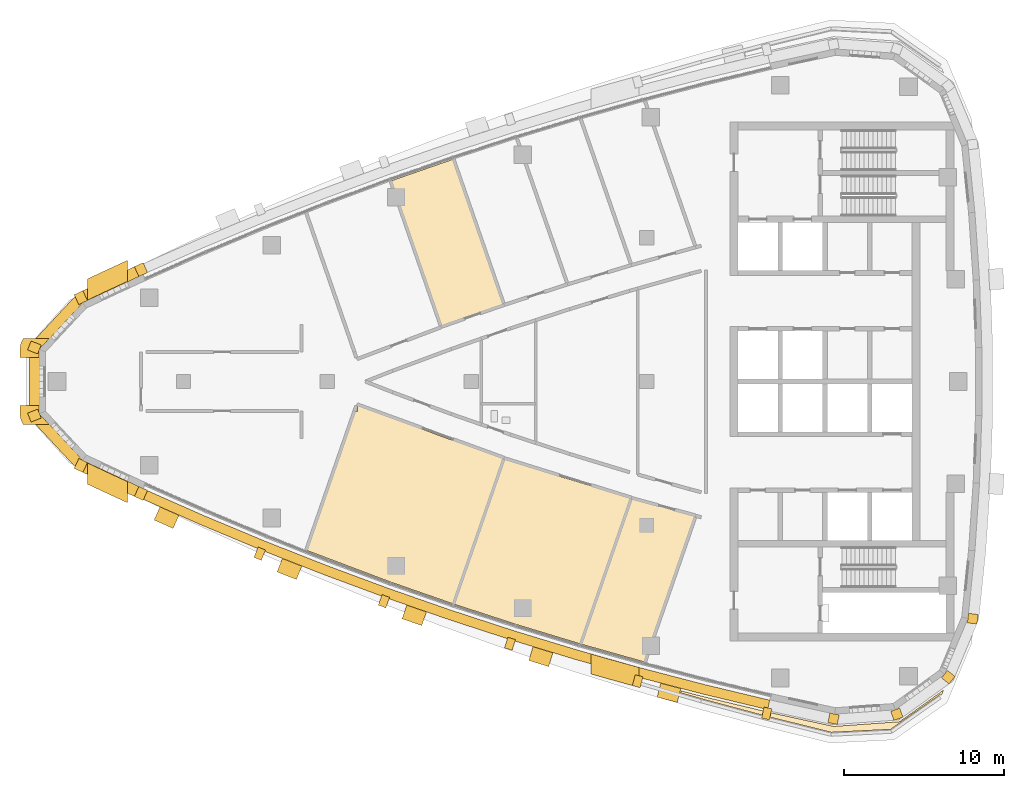
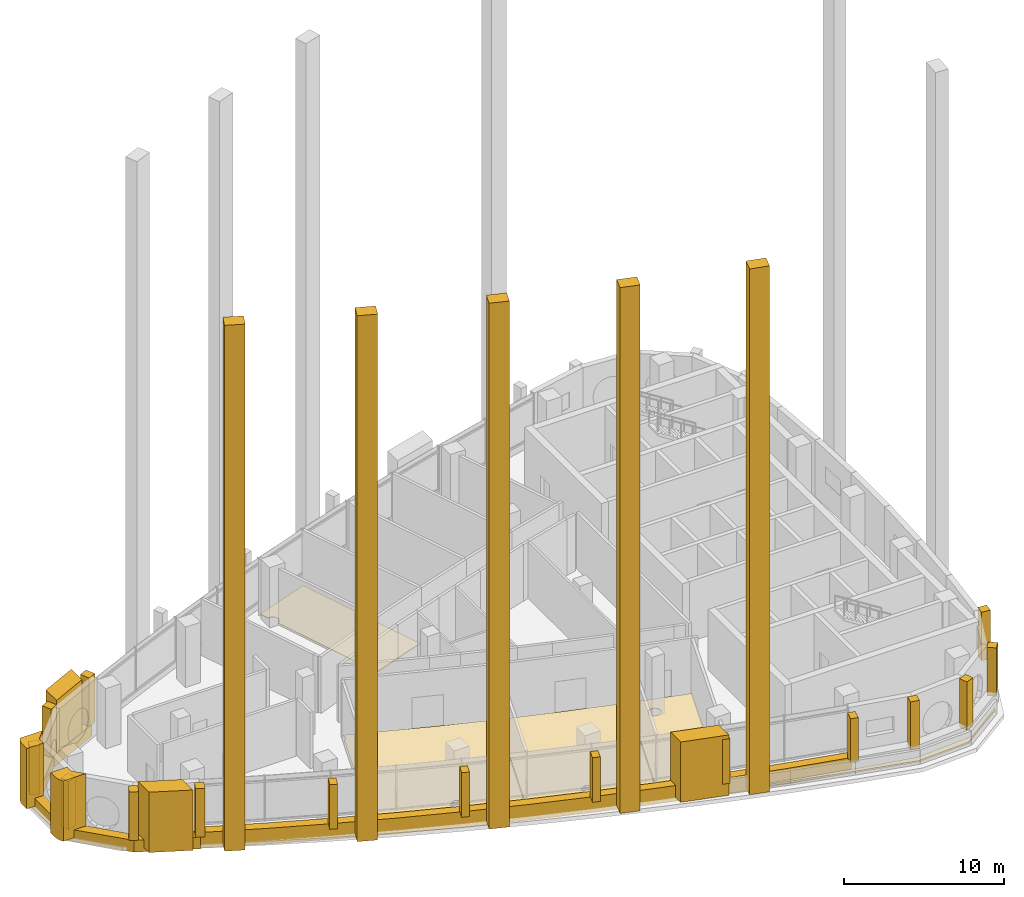
# One storey, part 11 of 15: 32 coverings.
"""IFC4 building model written with IfcOpenShell, lengths in metres."""

from ifc_helpers import new_model, si_unit, direction, frame, frame_2d, origin, place, context, subcontext, project, spatial, polyline, rectangle, outline, extrude, material, layer, layer_set, type_object, element, save


model = new_model("IFC4")

# Units and contexts
model_context = context("Model", 3, precision=1e-05, world=origin(), true_north=direction((0.0, 1.0)))
body_context = subcontext(model_context, "Body", "Model", "MODEL_VIEW")
ifc_project = project(units=[si_unit("LENGTHUNIT", "METRE"), si_unit("AREAUNIT", "SQUARE_METRE"), si_unit("VOLUMEUNIT", "CUBIC_METRE"), si_unit("PLANEANGLEUNIT", "RADIAN"), si_unit("MASSUNIT", "GRAM", prefix="KILO")], contexts=[model_context])

# Site, building, storey
site_placement = place(None, origin())
site = spatial("IfcSite", under=ifc_project, at=site_placement, CompositionType="ELEMENT")
building_placement = place(site_placement, origin())
building = spatial("IfcBuilding", under=site, at=building_placement, Name="Ostrand Prow Hotel Tower", CompositionType="ELEMENT")
storey_placement = place(building_placement, frame((0.0, 0.0, 263.300048828125)))
storey = spatial("IfcBuildingStorey", under=building, at=storey_placement, Name="L66", CompositionType="ELEMENT", Elevation=263.300048828125)

# Coverings
ifc_material_1 = material(Name="Bronze anodised aluminium cladding", Category="aluminium")
ifc_layer_1 = layer(ifc_material_1, 0.60009765625)
ifc_layer_set_1 = layer_set([ifc_layer_1], Name="Bronze anodised aluminium cladding")
covering_type_1 = type_object("IfcCoveringType", Name="Bronze prow band 899x600", PredefinedType="CLADDING", material=ifc_layer_set_1)
covering_1_placement = place(storey_placement, frame((0.0, 0.0, -0.300048828125)))
element("IfcCovering", 1, at=covering_1_placement, inside=storey, type_object=covering_type_1, Name="Bronze prow band", PredefinedType="CLADDING", context=body_context, shape_type="SweptSolid", body=[
    extrude(outline(polyline([(13.195068359375, 7.316162109375), (9.424560546875, 5.559814453125), (6.348388671875, 2.2568359375), (6.348388671875, -2.2568359375), (9.424560546875, -5.559814453125), (13.195068359375, -7.316162109375), (13.47607421875, -6.697021484375), (9.718017578125, -4.9462890625), (6.981201171875, -2.0078125), (6.981201171875, 2.0078125), (9.718017578125, 4.9462890625), (13.47607421875, 6.697021484375), (13.195068359375, 7.316162109375)])), origin(), (0.0, 0.0, 1.0), 0.89990234375),
])
ifc_material_2 = material(Name="Bronze anodised aluminium cladding", Category="aluminium")
ifc_layer_2 = layer(ifc_material_2, 0.60009765625)
ifc_layer_set_2 = layer_set([ifc_layer_2], Name="Bronze anodised aluminium cladding")
covering_type_2 = type_object("IfcCoveringType", Name="Bronze spandrel band 1200x600", PredefinedType="CLADDING", material=ifc_layer_set_2)
covering_2_placement = place(storey_placement, frame((0.0, 0.0, -0.300048828125)))
element("IfcCovering", 2, at=covering_2_placement, inside=storey, type_object=covering_type_2, Name="Spandrel band S1", PredefinedType="CLADDING", context=body_context, shape_type="SweptSolid", body=[
    extrude(outline(polyline([(13.220947265625, -7.25927734375), (17.02490234375, -8.938720703125), (20.86181640625, -10.541748046875), (24.72998046875, -12.067138671875), (28.62841796875, -13.514404296875), (32.5546875, -14.88330078125), (36.508056640625, -16.172607421875), (40.486328125, -17.382568359375), (44.48828125, -18.51220703125), (48.51220703125, -19.56103515625), (52.55615234375, -20.52880859375), (52.68994140625, -19.94384765625), (48.65771484375, -18.97900390625), (44.6455078125, -17.93310546875), (40.6552734375, -16.806884765625), (36.6884765625, -15.6005859375), (32.74658203125, -14.314697265625), (28.83154296875, -12.949951171875), (24.944580078125, -11.5068359375), (21.08740234375, -9.98583984375), (17.26171875, -8.3876953125), (13.468994140625, -6.712890625), (13.220947265625, -7.25927734375)])), origin(), (0.0, 0.0, 1.0), 1.199951171875),
])
ifc_material_3 = material(Name="Limestone cladding", Category="masonry")
ifc_layer_3 = layer(ifc_material_3, 5.0)
ifc_layer_set_3 = layer_set([ifc_layer_3], Name="Limestone cladding")
covering_type_3 = type_object("IfcCoveringType", Name="Portal jamb pilaster limestone", PredefinedType="CLADDING", material=ifc_layer_set_3)
covering_3_placement = place(storey_placement, origin())
element("IfcCovering", 3, at=covering_3_placement, inside=storey, type_object=covering_type_3, Name="Portal jamb SA L66", PredefinedType="CLADDING", context=body_context, shape_type="SweptSolid", body=[
    extrude(outline(polyline([(10.0, -5.10009765625), (10.0, -6.428466796875), (10.833251953125, -6.8203125), (11.666748046875, -7.20751953125), (12.5, -7.590087890625), (12.5, -6.270263671875), (11.666748046875, -5.884765625), (10.833251953125, -5.494873046875), (10.0, -5.10009765625)])), origin(), (0.0, 0.0, 1.0), 4.599853515625),
])
covering_4_placement = place(storey_placement, origin())
element("IfcCovering", 4, at=covering_4_placement, inside=storey, type_object=covering_type_3, Name="Portal jamb SB L66", PredefinedType="CLADDING", context=body_context, shape_type="SweptSolid", body=[
    extrude(outline(polyline([(41.5, -17.052490234375), (41.5, -18.301025390625), (42.5, -18.585205078125), (43.5, -18.86376953125), (44.5, -19.136962890625), (44.5, -17.8935546875), (43.5, -17.61865234375), (42.5, -17.338134765625), (41.5, -17.052490234375)])), origin(), (0.0, 0.0, 1.0), 4.599853515625),
])
covering_5_placement = place(storey_placement, origin())
element("IfcCovering", 5, at=covering_5_placement, inside=storey, type_object=covering_type_3, Name="Portal jamb NA L66", PredefinedType="CLADDING", context=body_context, shape_type="SweptSolid", body=[
    extrude(outline(polyline([(10.0, 5.10009765625), (10.833251953125, 5.494873046875), (11.666748046875, 5.884765625), (12.5, 6.270263671875), (12.5, 7.590087890625), (11.666748046875, 7.20751953125), (10.833251953125, 6.8203125), (10.0, 6.428466796875), (10.0, 5.10009765625)])), origin(), (0.0, 0.0, 1.0), 4.599853515625),
])
ifc_material_4 = material(Name="Limestone cladding", Category="masonry")
ifc_layer_4 = layer(ifc_material_4, 1.300048828125)
ifc_layer_set_4 = layer_set([ifc_layer_4], Name="Limestone cladding")
covering_type_4 = type_object("IfcCoveringType", Name="Precast stone fin 1300x1500", PredefinedType="CLADDING", material=ifc_layer_set_4)
for number, where, z_axis, x_axis, name in (
    (6, (15.11865234375, -8.108642578125, 0.0), (0.0, 0.0, 1.0), (-0.403947420602, -0.914782204346, 0.0), "Stone fin S zone 6 1"),
    (7, (22.7919921875, -11.314208984375, 0.0), (0.0, 0.0, 1.0), (-0.366802059581, -0.93029901058, 0.0), "Stone fin S zone 6 3"),
    (8, (30.588134765625, -14.208740234375, 0.0), (0.0, 0.0, 1.0), (-0.329057175894, -0.944309999414, 0.0), "Stone fin S zone 6 5"),
    (9, (38.494140625, -16.78759765625, 0.0), (0.0, 0.0, 1.0), (-0.290805372909, -0.956782229709, 0.0), "Stone fin S zone 6 7"),
    (10, (46.49755859375, -19.046630859375, 0.0), (0.0, 0.0, 1.0), (-0.252289376238, -0.967651833377, 0.0), "Stone fin S zone 6 9"),
):
    element("IfcCovering", number, at=place(storey_placement, frame(where, z_axis=z_axis, x_axis=x_axis)), inside=storey, type_object=covering_type_4, Name=name, PredefinedType="CLADDING", context=body_context, shape_type="SweptSolid", body=[
        extrude(rectangle(XDim=0.89990234375, YDim=1.300048828125, at=frame_2d((0.449951171875, 0.0))), origin(), (0.0, 0.0, 1.0), 40.099853515625),
    ])
ifc_material_5 = material(Name="Limestone cladding", Category="masonry")
ifc_layer_5 = layer(ifc_material_5, 0.5)
ifc_layer_set_5 = layer_set([ifc_layer_5], Name="Limestone cladding")
covering_type_5 = type_object("IfcCoveringType", Name="Precast stone fin 500x600", PredefinedType="CLADDING", material=ifc_layer_set_5)
for number, where, z_axis, x_axis, name in (
    (11, (20.8994140625, -10.44921875, 0.89990234375), (0.0, 0.0, 1.0), (-0.376377046956, -0.926466577122, 0.0), "Stone fin S 3"),
    (12, (28.662109375, -13.42041015625, 0.89990234375), (0.0, 0.0, 1.0), (-0.338633021138, -0.940918528352, 0.0), "Stone fin S 5"),
):
    element("IfcCovering", number, at=place(storey_placement, frame(where, z_axis=z_axis, x_axis=x_axis)), inside=storey, type_object=covering_type_5, Name=name, PredefinedType="CLADDING", context=body_context, shape_type="SweptSolid", body=[
        extrude(rectangle(XDim=0.699951171875, YDim=0.5, at=frame_2d((0.35009765625, 0.0))), origin(), (0.0, 0.0, 1.0), 3.400146484375),
    ])
for number, where, z_axis, x_axis, name in (
    (13, (36.5380859375, -16.077392578125, 0.89990234375), (0.0, 0.0, 1.0), (-0.30059725976, -0.953751166408, 0.0), "Stone fin S 7"),
    (14, (44.514404296875, -18.41552734375, 0.89990234375), (0.0, 0.0, 1.0), (-0.261848568536, -0.965108971648, 0.0), "Stone fin S 9"),
):
    element("IfcCovering", number, at=place(storey_placement, frame(where, z_axis=z_axis, x_axis=x_axis)), inside=storey, type_object=covering_type_5, Name=name, PredefinedType="CLADDING", context=body_context, shape_type="SweptSolid", body=[
        extrude(rectangle(XDim=0.7001953125, YDim=0.5, at=frame_2d((0.35009765625, 0.0))), origin(), (0.0, 0.0, 1.0), 3.400146484375),
    ])
covering_6_placement = place(storey_placement, frame((52.578369140625, -20.431396484375, 0.89990234375), z_axis=(0.0, 0.0, 1.0), x_axis=(-0.222872153431, -0.974847682064, 0.0)))
element("IfcCovering", 15, at=covering_6_placement, inside=storey, type_object=covering_type_5, Name="Stone fin S 11", PredefinedType="CLADDING", context=body_context, shape_type="SweptSolid", body=[
    extrude(rectangle(XDim=0.699951171875, YDim=0.5, at=frame_2d((0.35009765625, 0.0))), origin(), (0.0, 0.0, 1.0), 3.400146484375),
])
ifc_material_6 = material(Name="Limestone cladding", Category="masonry")
ifc_layer_6 = layer(ifc_material_6, 0.60009765625)
ifc_layer_set_6 = layer_set([ifc_layer_6], Name="Limestone cladding")
covering_type_6 = type_object("IfcCoveringType", Name="Precast stone prow rib 600x600", PredefinedType="CLADDING", material=ifc_layer_set_6)
covering_7_placement = place(storey_placement, frame((13.47607421875, 6.697021484375, 0.599853515625), z_axis=(0.0, 0.0, 1.0), x_axis=(-0.413288868051, 0.910599973394, 0.0)))
element("IfcCovering", 16, at=covering_7_placement, inside=storey, type_object=covering_type_6, Name="Stone prow rib 1", PredefinedType="CLADDING", context=body_context, shape_type="SweptSolid", body=[
    extrude(rectangle(XDim=0.679931640625, YDim=0.60009765625, at=frame_2d((0.33984375, 0.0))), origin(), (0.0, 0.0, 1.0), 3.7001953125),
])
covering_8_placement = place(storey_placement, frame((9.718017578125, 4.9462890625, 0.599853515625), z_axis=(0.0, 0.0, 1.0), x_axis=(-0.431493603995, 0.902115995707, 0.0)))
element("IfcCovering", 17, at=covering_8_placement, inside=storey, type_object=covering_type_6, Name="Stone prow rib 2", PredefinedType="CLADDING", context=body_context, shape_type="SweptSolid", body=[
    extrude(rectangle(XDim=0.68017578125, YDim=0.60009765625, at=frame_2d((0.340087890625, 0.0))), origin(), (0.0, 0.0, 1.0), 3.7001953125),
])
for number, where, z_axis, x_axis, name in (
    (18, (6.981201171875, 2.0078125, 0.599853515625), (0.0, 0.0, 1.0), (-0.93054188789, 0.366185465142, 0.0), "Stone prow rib 3"),
    (19, (6.981201171875, -2.0078125, 0.599853515625), (0.0, 0.0, 1.0), (-0.93054188789, -0.366185465142, 0.0), "Stone prow rib 4"),
):
    element("IfcCovering", number, at=place(storey_placement, frame(where, z_axis=z_axis, x_axis=x_axis)), inside=storey, type_object=covering_type_6, Name=name, PredefinedType="CLADDING", context=body_context, shape_type="SweptSolid", body=[
        extrude(rectangle(XDim=0.679931640625, YDim=0.60009765625, at=frame_2d((0.33984375, 0.0))), origin(), (0.0, 0.0, 1.0), 3.7001953125),
    ])
covering_9_placement = place(storey_placement, frame((9.718017578125, -4.9462890625, 0.599853515625), z_axis=(0.0, 0.0, 1.0), x_axis=(-0.431493603995, -0.902115995707, 0.0)))
element("IfcCovering", 20, at=covering_9_placement, inside=storey, type_object=covering_type_6, Name="Stone prow rib 5", PredefinedType="CLADDING", context=body_context, shape_type="SweptSolid", body=[
    extrude(rectangle(XDim=0.68017578125, YDim=0.60009765625, at=frame_2d((0.340087890625, 0.0))), origin(), (0.0, 0.0, 1.0), 3.7001953125),
])
covering_10_placement = place(storey_placement, frame((13.47607421875, -6.697021484375, 0.599853515625), z_axis=(0.0, 0.0, 1.0), x_axis=(-0.413288868051, -0.910599973394, 0.0)))
element("IfcCovering", 21, at=covering_10_placement, inside=storey, type_object=covering_type_6, Name="Stone prow rib 6", PredefinedType="CLADDING", context=body_context, shape_type="SweptSolid", body=[
    extrude(rectangle(XDim=0.679931640625, YDim=0.60009765625, at=frame_2d((0.33984375, 0.0))), origin(), (0.0, 0.0, 1.0), 3.7001953125),
])
covering_11_placement = place(storey_placement, frame((56.744384765625, -20.810546875, 0.599853515625), z_axis=(0.0, 0.0, 1.0), x_axis=(-0.203385687349, -0.979098698897, 0.0)))
element("IfcCovering", 22, at=covering_11_placement, inside=storey, type_object=covering_type_6, Name="Stone corner rib 2a", PredefinedType="CLADDING", context=body_context, shape_type="SweptSolid", body=[
    extrude(rectangle(XDim=0.60009765625, YDim=0.60009765625, at=frame_2d((0.300048828125, 0.0))), origin(), (0.0, 0.0, 1.0), 3.7001953125),
])
for number, where, z_axis, x_axis, name in (
    (23, (60.540283203125, -20.539794921875, 0.599853515625), (0.0, 0.0, 1.0), (0.340664419472, -0.940184956966, 0.0), "Stone corner rib 3a"),
    (24, (63.630615234375, -18.318359375, 0.599853515625), (0.0, 0.0, 1.0), (0.782731736812, -0.622359243674, 0.0), "Stone corner rib 4a"),
):
    element("IfcCovering", number, at=place(storey_placement, frame(where, z_axis=z_axis, x_axis=x_axis)), inside=storey, type_object=covering_type_6, Name=name, PredefinedType="CLADDING", context=body_context, shape_type="SweptSolid", body=[
        extrude(rectangle(XDim=0.599853515625, YDim=0.60009765625, at=frame_2d((0.2998046875, 0.0))), origin(), (0.0, 0.0, 1.0), 3.7001953125),
    ])
covering_12_placement = place(storey_placement, frame((65.0966796875, -14.806396484375, 0.599853515625), z_axis=(0.0, 0.0, 1.0), x_axis=(0.992867207971, -0.119225447515, 0.0)))
element("IfcCovering", 25, at=covering_12_placement, inside=storey, type_object=covering_type_6, Name="Stone corner rib 4b", PredefinedType="CLADDING", context=body_context, shape_type="SweptSolid", body=[
    extrude(rectangle(XDim=0.60009765625, YDim=0.60009765625, at=frame_2d((0.300048828125, 0.0))), origin(), (0.0, 0.0, 1.0), 3.7001953125),
])
ifc_material_7 = material(Name="Limestone cladding", Category="masonry")
ifc_layer_7 = layer(ifc_material_7, 3.0)
ifc_layer_set_7 = layer_set([ifc_layer_7], Name="Limestone cladding")
covering_type_7 = type_object("IfcCoveringType", Name="Prow nose pier limestone", PredefinedType="CLADDING", material=ifc_layer_set_7)
covering_13_placement = place(storey_placement, origin())
element("IfcCovering", 26, at=covering_13_placement, inside=storey, type_object=covering_type_7, Name="Prow spine fin N L66", PredefinedType="CLADDING", context=body_context, shape_type="SweptSolid", body=[
    extrude(outline(polyline([(5.764892578125, 2.01416015625), (5.764892578125, 1.5), (6.96484375, 1.5), (6.96484375, 2.01416015625), (7.603515625, 2.699951171875), (5.981689453125, 2.699951171875), (5.94970703125, 2.654052734375), (5.894287109375, 2.55615234375), (5.84814453125, 2.45361328125), (5.81201171875, 2.34716796875), (5.785888671875, 2.23779296875), (5.77001953125, 2.12646484375), (5.764892578125, 2.01416015625)])), origin(), (0.0, 0.0, 1.0), 4.599853515625),
])
covering_14_placement = place(storey_placement, origin())
element("IfcCovering", 27, at=covering_14_placement, inside=storey, type_object=covering_type_7, Name="Prow spine fin S L66", PredefinedType="CLADDING", context=body_context, shape_type="SweptSolid", body=[
    extrude(outline(polyline([(5.94970703125, -2.654052734375), (5.981689453125, -2.699951171875), (7.603515625, -2.699951171875), (6.96484375, -2.01416015625), (6.96484375, -1.5), (5.764892578125, -1.5), (5.764892578125, -2.01416015625), (5.77001953125, -2.12646484375), (5.785888671875, -2.23779296875), (5.81201171875, -2.34716796875), (5.84814453125, -2.45361328125), (5.894287109375, -2.55615234375), (5.94970703125, -2.654052734375)])), origin(), (0.0, 0.0, 1.0), 4.599853515625),
])
ifc_material_8 = material(Name="Bituminous membrane, insulation and stone ballast", Category="masonry")
ifc_layer_8 = layer(ifc_material_8, 0.1201171875)
ifc_layer_set_8 = layer_set([ifc_layer_8], Name="Bituminous membrane, insulation and stone ballast")
covering_type_8 = type_object("IfcCoveringType", Name="Roof build-up membrane, insulation and stone ballast 120 mm", PredefinedType="ROOFING", material=ifc_layer_set_8)
covering_15_placement = place(storey_placement, origin())
element("IfcCovering", 28, at=covering_15_placement, inside=storey, type_object=covering_type_8, Name="Roof build-up Ledge roof slab L66.1 1", PredefinedType="ROOFING", context=body_context, shape_type="SweptSolid", body=[
    extrude(outline(polyline([(48.475341796875, -19.70751953125), (47.139404296875, -19.359375), (47.108154296875, -19.4794921875), (48.434814453125, -19.864013671875), (52.510986328125, -20.956787109375), (56.55224609375, -21.953857421875), (60.2548828125, -21.76904296875), (63.273681640625, -19.645751953125), (63.2861328125, -19.6376953125), (63.29931640625, -19.631103515625), (63.31298828125, -19.6259765625), (63.3271484375, -19.6220703125), (63.341796875, -19.619384765625), (63.3564453125, -19.618408203125), (63.37109375, -19.618896484375), (63.3857421875, -19.62060546875), (63.400146484375, -19.623779296875), (63.4140625, -19.62841796875), (63.427490234375, -19.634521484375), (63.435546875, -19.638916015625), (63.5751953125, -19.3037109375), (60.81201171875, -21.2900390625), (56.686279296875, -21.58447265625), (52.5224609375, -20.676025390625), (48.475341796875, -19.70751953125)])), origin(), (0.0, 0.0, 1.0), 0.119873046875),
])
ifc_material_9 = material(Name="Polished limestone", Category="masonry")
ifc_layer_9 = layer(ifc_material_9, 0.030029296875)
ifc_layer_set_9 = layer_set([ifc_layer_9], Name="Polished limestone")
covering_type_9 = type_object("IfcCoveringType", Name="Stone floor finish 30 mm", PredefinedType="FLOORING", material=ifc_layer_set_9)
covering_16_placement = place(storey_placement, origin())
element("IfcCovering", 29, at=covering_16_placement, inside=storey, type_object=covering_type_9, Name="Floor finish Bar", PredefinedType="FLOORING", context=body_context, shape_type="SweptSolid", body=[
    extrude(outline(polyline([(32.144775390625, 3.431884765625), (36.043701171875, 4.792236328125), (32.87890625, 13.915771484375), (28.9794921875, 12.556396484375), (29.202880859375, 11.9130859375), (29.23193359375, 11.92041015625), (29.270751953125, 11.926025390625), (29.31005859375, 11.927978515625), (29.34912109375, 11.926025390625), (29.387939453125, 11.92041015625), (29.426025390625, 11.910888671875), (29.463134765625, 11.897705078125), (29.49853515625, 11.880859375), (29.5322265625, 11.860595703125), (29.563720703125, 11.837158203125), (29.5927734375, 11.810791015625), (29.619140625, 11.78173828125), (29.642578125, 11.750244140625), (29.662841796875, 11.716552734375), (29.6796875, 11.68115234375), (29.69287109375, 11.64404296875), (29.702392578125, 11.60595703125), (29.7080078125, 11.567138671875), (29.7099609375, 11.528076171875), (29.7080078125, 11.48876953125), (29.702392578125, 11.449951171875), (29.69287109375, 11.411865234375), (29.6796875, 11.375), (29.662841796875, 11.33935546875), (29.642578125, 11.305908203125), (29.619140625, 11.274169921875), (29.5927734375, 11.2451171875), (29.563720703125, 11.21875), (29.5322265625, 11.1953125), (29.49853515625, 11.17529296875), (29.46435546875, 11.1591796875), (32.144775390625, 3.431884765625)])), origin(), (0.0, 0.0, 1.0), 0.030029296875),
])
covering_17_placement = place(storey_placement, origin())
element("IfcCovering", 30, at=covering_17_placement, inside=storey, type_object=covering_type_9, Name="Floor finish Restaurant", PredefinedType="FLOORING", context=body_context, shape_type="SweptSolid", body=[
    extrude(outline(polyline([(28.9736328125, -12.5546875), (32.87890625, -13.915771484375), (36.043701171875, -4.792236328125), (32.2431640625, -3.4697265625), (26.875, -1.4375), (26.874755859375, -1.87109375), (26.706787109375, -1.874755859375), (23.693603515625, -10.561767578125), (28.9736328125, -12.5546875)]), holes=[polyline([(29.642578125, -11.750244140625), (29.619140625, -11.78173828125), (29.5927734375, -11.810791015625), (29.563720703125, -11.837158203125), (29.5322265625, -11.860595703125), (29.49853515625, -11.880859375), (29.463134765625, -11.897705078125), (29.426025390625, -11.910888671875), (29.387939453125, -11.92041015625), (29.34912109375, -11.926025390625), (29.31005859375, -11.927978515625), (29.270751953125, -11.926025390625), (29.23193359375, -11.92041015625), (29.19384765625, -11.910888671875), (29.156982421875, -11.897705078125), (29.121337890625, -11.880859375), (29.087890625, -11.860595703125), (29.05615234375, -11.837158203125), (29.027099609375, -11.810791015625), (29.000732421875, -11.78173828125), (28.977294921875, -11.750244140625), (28.957275390625, -11.716552734375), (28.9404296875, -11.68115234375), (28.92724609375, -11.64404296875), (28.917724609375, -11.60595703125), (28.911865234375, -11.567138671875), (28.909912109375, -11.528076171875), (28.911865234375, -11.48876953125), (28.917724609375, -11.449951171875), (28.92724609375, -11.411865234375), (28.9404296875, -11.375), (28.957275390625, -11.33935546875), (28.977294921875, -11.305908203125), (29.000732421875, -11.274169921875), (29.027099609375, -11.2451171875), (29.05615234375, -11.21875), (29.087890625, -11.1953125), (29.121337890625, -11.17529296875), (29.156982421875, -11.158447265625), (29.19384765625, -11.145263671875), (29.23193359375, -11.1357421875), (29.270751953125, -11.1298828125), (29.31005859375, -11.1279296875), (29.34912109375, -11.1298828125), (29.387939453125, -11.1357421875), (29.426025390625, -11.145263671875), (29.463134765625, -11.158447265625), (29.49853515625, -11.17529296875), (29.5322265625, -11.1953125), (29.563720703125, -11.21875), (29.5927734375, -11.2451171875), (29.619140625, -11.274169921875), (29.642578125, -11.305908203125), (29.662841796875, -11.33935546875), (29.6796875, -11.375), (29.69287109375, -11.411865234375), (29.702392578125, -11.449951171875), (29.7080078125, -11.48876953125), (29.7099609375, -11.528076171875), (29.7080078125, -11.567138671875), (29.702392578125, -11.60595703125), (29.69287109375, -11.64404296875), (29.6796875, -11.68115234375), (29.662841796875, -11.716552734375), (29.642578125, -11.750244140625)])]), origin(), (0.0, 0.0, 1.0), 0.030029296875),
])
covering_18_placement = place(storey_placement, origin())
element("IfcCovering", 31, at=covering_18_placement, inside=storey, type_object=covering_type_9, Name="Floor finish Restaurant", PredefinedType="FLOORING", context=body_context, shape_type="SweptSolid", body=[
    extrude(outline(polyline([(36.814697265625, -15.199951171875), (40.8408203125, -16.42236328125), (44.011474609375, -7.281982421875), (39.716552734375, -5.99072265625), (36.086181640625, -4.806640625), (32.921630859375, -13.93017578125), (36.814697265625, -15.199951171875)]), holes=[polyline([(37.553955078125, -14.41796875), (37.530517578125, -14.449462890625), (37.504150390625, -14.478515625), (37.47509765625, -14.5048828125), (37.443603515625, -14.5283203125), (37.409912109375, -14.548583984375), (37.37451171875, -14.565185546875), (37.33740234375, -14.57861328125), (37.29931640625, -14.587890625), (37.260498046875, -14.59375), (37.22119140625, -14.595703125), (37.18212890625, -14.59375), (37.143310546875, -14.587890625), (37.105224609375, -14.57861328125), (37.068115234375, -14.565185546875), (37.03271484375, -14.548583984375), (36.9990234375, -14.5283203125), (36.967529296875, -14.5048828125), (36.9384765625, -14.478515625), (36.912109375, -14.449462890625), (36.888671875, -14.41796875), (36.868408203125, -14.38427734375), (36.851806640625, -14.348876953125), (36.83837890625, -14.311767578125), (36.8291015625, -14.273681640625), (36.8232421875, -14.23486328125), (36.8212890625, -14.19580078125), (36.8232421875, -14.156494140625), (36.8291015625, -14.11767578125), (36.83837890625, -14.07958984375), (36.851806640625, -14.04248046875), (36.868408203125, -14.007080078125), (36.888671875, -13.973388671875), (36.912109375, -13.94189453125), (36.9384765625, -13.912841796875), (36.967529296875, -13.886474609375), (36.9990234375, -13.863037109375), (37.03271484375, -13.843017578125), (37.068115234375, -13.826171875), (37.105224609375, -13.81298828125), (37.143310546875, -13.803466796875), (37.18212890625, -13.797607421875), (37.22119140625, -13.795654296875), (37.260498046875, -13.797607421875), (37.29931640625, -13.803466796875), (37.33740234375, -13.81298828125), (37.37451171875, -13.826171875), (37.409912109375, -13.843017578125), (37.443603515625, -13.863037109375), (37.47509765625, -13.886474609375), (37.504150390625, -13.912841796875), (37.530517578125, -13.94189453125), (37.553955078125, -13.973388671875), (37.57421875, -14.007080078125), (37.5908203125, -14.04248046875), (37.60400390625, -14.07958984375), (37.613525390625, -14.11767578125), (37.619384765625, -14.156494140625), (37.621337890625, -14.19580078125), (37.619384765625, -14.23486328125), (37.613525390625, -14.273681640625), (37.60400390625, -14.311767578125), (37.5908203125, -14.348876953125), (37.57421875, -14.38427734375), (37.553955078125, -14.41796875)])]), origin(), (0.0, 0.0, 1.0), 0.030029296875),
])
covering_19_placement = place(storey_placement, origin())
element("IfcCovering", 32, at=covering_19_placement, inside=storey, type_object=covering_type_9, Name="Floor finish Private Dining Room", PredefinedType="FLOORING", context=body_context, shape_type="SweptSolid", body=[
    extrude(outline(polyline([(40.884033203125, -16.43505859375), (44.861083984375, -17.5546875), (45.0849609375, -16.9091796875), (45.08154296875, -16.908203125), (45.046142578125, -16.891357421875), (45.012451171875, -16.87109375), (44.98095703125, -16.847900390625), (44.951904296875, -16.8212890625), (44.925537109375, -16.79248046875), (44.902099609375, -16.7607421875), (44.8818359375, -16.727294921875), (44.864990234375, -16.691650390625), (44.851806640625, -16.65478515625), (44.84228515625, -16.61669921875), (44.836669921875, -16.577880859375), (44.834716796875, -16.53857421875), (44.836669921875, -16.49951171875), (44.84228515625, -16.460693359375), (44.851806640625, -16.422607421875), (44.864990234375, -16.385498046875), (44.8818359375, -16.35009765625), (44.902099609375, -16.31640625), (44.925537109375, -16.284912109375), (44.951904296875, -16.255859375), (44.98095703125, -16.2294921875), (45.012451171875, -16.2060546875), (45.046142578125, -16.185791015625), (45.08154296875, -16.1689453125), (45.11865234375, -16.15576171875), (45.15673828125, -16.146240234375), (45.195556640625, -16.140380859375), (45.234619140625, -16.138671875), (45.27392578125, -16.140380859375), (45.312744140625, -16.146240234375), (45.3466796875, -16.15478515625), (48.03662109375, -8.39990234375), (44.0546875, -7.29443359375), (40.884033203125, -16.43505859375)]), holes=[polyline([(45.352783203125, -9.188720703125), (45.33251953125, -9.22216796875), (45.30908203125, -9.25390625), (45.28271484375, -9.28271484375), (45.25390625, -9.30908203125), (45.22216796875, -9.33251953125), (45.188720703125, -9.352783203125), (45.153076171875, -9.36962890625), (45.1162109375, -9.3828125), (45.077880859375, -9.392333984375), (45.039306640625, -9.398193359375), (45.0, -9.39990234375), (44.960693359375, -9.398193359375), (44.922119140625, -9.392333984375), (44.8837890625, -9.3828125), (44.846923828125, -9.36962890625), (44.811279296875, -9.352783203125), (44.77783203125, -9.33251953125), (44.74609375, -9.30908203125), (44.71728515625, -9.28271484375), (44.69091796875, -9.25390625), (44.66748046875, -9.22216796875), (44.647216796875, -9.188720703125), (44.63037109375, -9.153076171875), (44.6171875, -9.1162109375), (44.607666015625, -9.077880859375), (44.601806640625, -9.039306640625), (44.60009765625, -9.0), (44.601806640625, -8.960693359375), (44.607666015625, -8.922119140625), (44.6171875, -8.8837890625), (44.63037109375, -8.846923828125), (44.647216796875, -8.811279296875), (44.66748046875, -8.77783203125), (44.69091796875, -8.74609375), (44.71728515625, -8.71728515625), (44.74609375, -8.69091796875), (44.77783203125, -8.66748046875), (44.811279296875, -8.647216796875), (44.846923828125, -8.63037109375), (44.8837890625, -8.6171875), (44.922119140625, -8.607666015625), (44.960693359375, -8.601806640625), (45.0, -8.60009765625), (45.039306640625, -8.601806640625), (45.077880859375, -8.607666015625), (45.1162109375, -8.6171875), (45.153076171875, -8.63037109375), (45.188720703125, -8.647216796875), (45.22216796875, -8.66748046875), (45.25390625, -8.69091796875), (45.28271484375, -8.71728515625), (45.30908203125, -8.74609375), (45.33251953125, -8.77783203125), (45.352783203125, -8.811279296875), (45.36962890625, -8.846923828125), (45.3828125, -8.8837890625), (45.392333984375, -8.922119140625), (45.398193359375, -8.960693359375), (45.39990234375, -9.0), (45.398193359375, -9.039306640625), (45.392333984375, -9.077880859375), (45.3828125, -9.1162109375), (45.36962890625, -9.153076171875), (45.352783203125, -9.188720703125)])]), origin(), (0.0, 0.0, 1.0), 0.030029296875),
])

save(model, "model.ifc")
